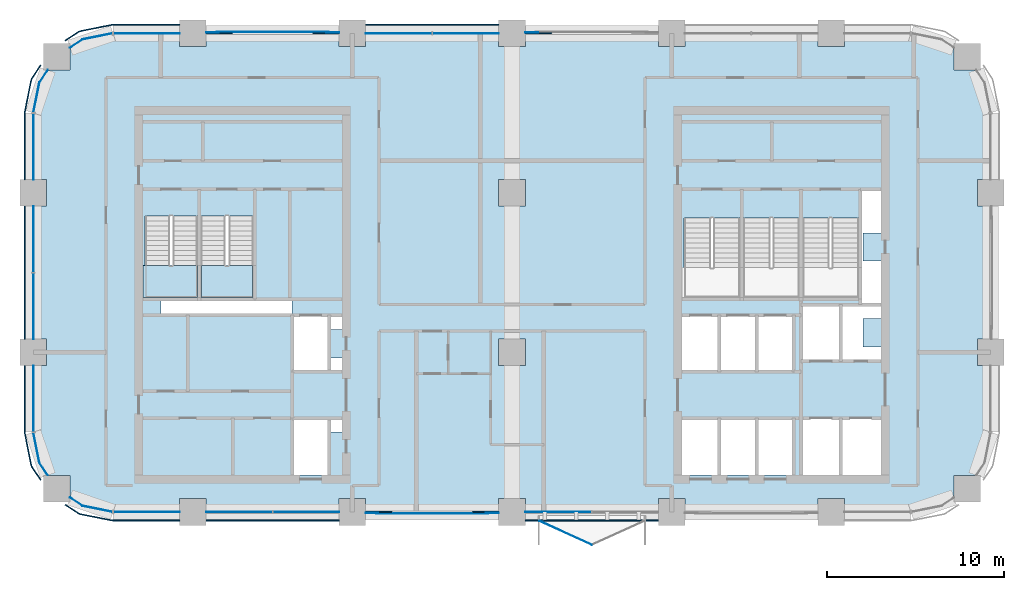
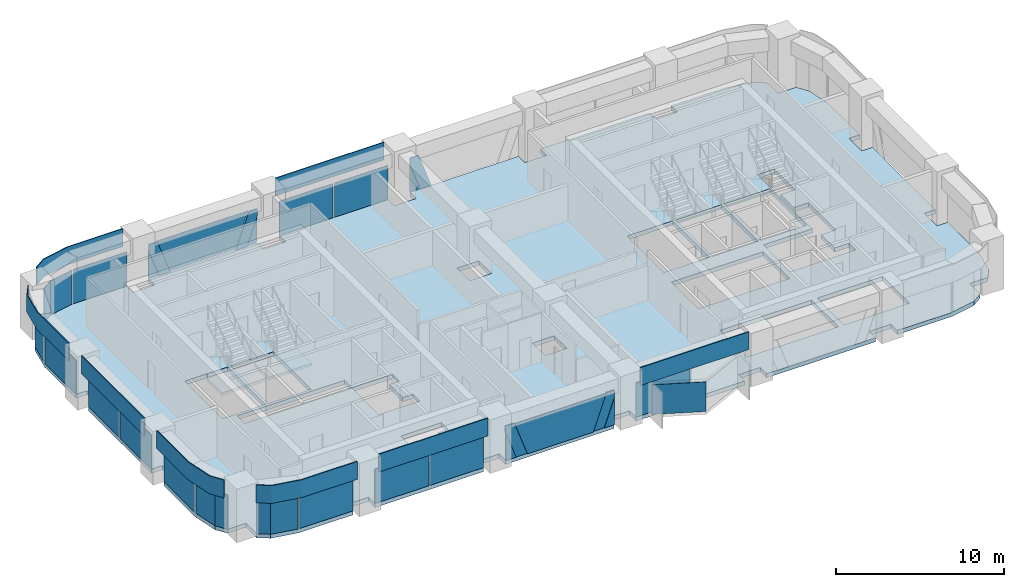
# One storey, part 7 of 14: 36 plates, 3 slabs, 13 elements without a shape of their own.
"""IFC4 building model written with IfcOpenShell, lengths in metres."""

from ifc_helpers import new_model, si_unit, direction, frame, origin, origin_2d, place, context, subcontext, project, spatial, polyline, rectangle, outline, extrude, material, layer, layer_set, type_object, element, aggregate, save


model = new_model("IFC4")

# Units and contexts
model_context = context("Model", 3, precision=1e-05, world=origin(), true_north=direction((0.0, 1.0)))
body_context = subcontext(model_context, "Body", "Model", "MODEL_VIEW")
ifc_project = project(units=[si_unit("LENGTHUNIT", "METRE"), si_unit("AREAUNIT", "SQUARE_METRE"), si_unit("VOLUMEUNIT", "CUBIC_METRE"), si_unit("PLANEANGLEUNIT", "RADIAN"), si_unit("MASSUNIT", "GRAM", prefix="KILO")], contexts=[model_context])

# Site, building, storey
site_placement = place(None, origin())
site = spatial("IfcSite", under=ifc_project, at=site_placement, CompositionType="ELEMENT")
building_placement = place(site_placement, origin())
building = spatial("IfcBuilding", under=site, at=building_placement, Name="Tessera Arch", CompositionType="ELEMENT")
storey_placement = place(building_placement, frame((0.0, 0.0, 146.60009765625)))
storey = spatial("IfcBuildingStorey", under=building, at=storey_placement, Name="L34", CompositionType="ELEMENT", Elevation=146.60009765625)

# Curtain wall, plates
ifc_material_1 = material(Name="CW1 curtain wall")
curtain_wall_type_1 = type_object("IfcCurtainWallType", Name="CW1 curtain wall", PredefinedType="NOTDEFINED", material=ifc_material_1)
curtain_wall_1_placement = place(storey_placement, origin())
curtain_wall_1 = element("IfcCurtainWall", 1, at=curtain_wall_1_placement, inside=storey, type_object=curtain_wall_type_1, Name="CW1 curtain wall N54.0/3 L34", PredefinedType="NOTDEFINED")
ifc_material_2 = material(Name="Clear low-e glass", Category="glass")
ifc_material_3 = material(Name="Clear low-e glass", Category="glass")
ifc_layer_1 = layer(ifc_material_3, 0.028076171875)
ifc_layer_set_1 = layer_set([ifc_layer_1], Name="CW1 glass panel")
plate_type_1 = type_object("IfcPlateType", Name="CW1 glass panel", PredefinedType="CURTAIN_PANEL", material=ifc_layer_set_1)
plate_1_placement = place(storey_placement, frame((24.389892578125, 54.0, 0.0), z_axis=(0.0, 0.0, 1.0), x_axis=(-1.0, 0.0, 0.0)))
plate_1 = element("IfcPlate", 2, at=plate_1_placement, type_object=plate_type_1, material=ifc_material_2, Name="CW1 glass panel N54.0/3 1.1.1", PredefinedType="CURTAIN_PANEL", context=body_context, shape_type="SweptSolid", body=[
    extrude(rectangle(XDim=3.719970703125, YDim=0.028076171875, at=origin_2d()), origin(), (0.0, 0.0, 1.0), 2.5),
])
plate_2_placement = place(storey_placement, frame((20.610107421875, 54.0, 0.0), z_axis=(0.0, 0.0, 1.0), x_axis=(-1.0, 0.0, 0.0)))
plate_2 = element("IfcPlate", 3, at=plate_2_placement, type_object=plate_type_1, material=ifc_material_2, Name="CW1 glass panel N54.0/3 1.2.1", PredefinedType="CURTAIN_PANEL", context=body_context, shape_type="SweptSolid", body=[
    extrude(rectangle(XDim=3.719970703125, YDim=0.028076171875, at=origin_2d()), origin(), (0.0, 0.0, 1.0), 2.5),
])

curtain_wall_2_placement = place(storey_placement, origin())
curtain_wall_2 = element("IfcCurtainWall", 4, at=curtain_wall_2_placement, inside=storey, type_object=curtain_wall_type_1, Name="CW1 curtain wall W0.27/1 L34", PredefinedType="NOTDEFINED")
plate_3_placement = place(storey_placement, frame((0.0, 42.389892578125, 0.0), z_axis=(0.0, 0.0, 1.0), x_axis=(0.0, -1.0, 0.0)))
plate_3 = element("IfcPlate", 5, at=plate_3_placement, type_object=plate_type_1, material=ifc_material_2, Name="CW1 glass panel W0.27/1 1.1.1", PredefinedType="CURTAIN_PANEL", context=body_context, shape_type="SweptSolid", body=[
    extrude(rectangle(XDim=3.719970703125, YDim=0.028076171875, at=origin_2d()), origin(), (0.0, 0.0, 1.0), 2.5),
])
plate_4_placement = place(storey_placement, frame((0.0, 38.610107421875, 0.0), z_axis=(0.0, 0.0, 1.0), x_axis=(0.0, -1.0, 0.0)))
plate_4 = element("IfcPlate", 6, at=plate_4_placement, type_object=plate_type_1, material=ifc_material_2, Name="CW1 glass panel W0.27/1 1.2.1", PredefinedType="CURTAIN_PANEL", context=body_context, shape_type="SweptSolid", body=[
    extrude(rectangle(XDim=3.719970703125, YDim=0.028076171875, at=origin_2d()), origin(), (0.0, 0.0, 1.0), 2.5),
])

curtain_wall_3_placement = place(storey_placement, origin())
curtain_wall_3 = element("IfcCurtainWall", 7, at=curtain_wall_3_placement, inside=storey, type_object=curtain_wall_type_1, Name="CW1 curtain wall S27.0/1 L34", PredefinedType="NOTDEFINED")
plate_5_placement = place(storey_placement, frame((11.610107421875, 27.0, 0.0), z_axis=(0.0, 0.0, 1.0), x_axis=(1.0, 0.0, 0.0)))
plate_5 = element("IfcPlate", 8, at=plate_5_placement, type_object=plate_type_1, material=ifc_material_2, Name="CW1 glass panel S27.0/1 1.1.1", PredefinedType="CURTAIN_PANEL", context=body_context, shape_type="SweptSolid", body=[
    extrude(rectangle(XDim=3.719970703125, YDim=0.028076171875, at=origin_2d()), origin(), (0.0, 0.0, 1.0), 2.5),
])
plate_6_placement = place(storey_placement, frame((15.389892578125, 27.0, 0.0), z_axis=(0.0, 0.0, 1.0), x_axis=(1.0, 0.0, 0.0)))
plate_6 = element("IfcPlate", 9, at=plate_6_placement, type_object=plate_type_1, material=ifc_material_2, Name="CW1 glass panel S27.0/1 1.2.1", PredefinedType="CURTAIN_PANEL", context=body_context, shape_type="SweptSolid", body=[
    extrude(rectangle(XDim=3.719970703125, YDim=0.028076171875, at=origin_2d()), origin(), (0.0, 0.0, 1.0), 2.5),
])

# Curtain wall, plate
curtain_wall_4_placement = place(storey_placement, origin())
curtain_wall_4 = element("IfcCurtainWall", 10, at=curtain_wall_4_placement, inside=storey, type_object=curtain_wall_type_1, Name="CW1 curtain wall S27.0/3 L34", PredefinedType="NOTDEFINED")
plate_7_placement = place(storey_placement, frame((29.610107421875, 27.0, 0.0), z_axis=(0.0, 0.0, 1.0), x_axis=(1.0, 0.0, 0.0)))
plate_7 = element("IfcPlate", 11, at=plate_7_placement, type_object=plate_type_1, material=ifc_material_2, Name="CW1 glass panel S27.0/3 1.1.1", PredefinedType="CURTAIN_PANEL", context=body_context, shape_type="SweptSolid", body=[
    extrude(rectangle(XDim=3.719970703125, YDim=0.028076171875, at=origin_2d()), origin(), (0.0, 0.0, 1.0), 2.5),
])

# Plate
ifc_material_4 = material(Name="Pale anodised aluminium panel", Category="aluminium")
ifc_layer_2 = layer(ifc_material_4, 0.06005859375)
ifc_layer_set_2 = layer_set([ifc_layer_2], Name="CW1 spandrel panel")
plate_type_2 = type_object("IfcPlateType", Name="CW1 spandrel panel", PredefinedType="CURTAIN_PANEL", material=ifc_layer_set_2)
plate_8_placement = place(storey_placement, frame((22.5, 54.47998046875, 2.60009765625), z_axis=(0.0, 0.0, 1.0), x_axis=(-1.0, 0.0, 0.0)))
plate_8 = element("IfcPlate", 12, at=plate_8_placement, type_object=plate_type_2, Name="CW1 spandrel panel N54.0/3", PredefinedType="CURTAIN_PANEL", context=body_context, shape_type="SweptSolid", body=[
    extrude(rectangle(XDim=7.5, YDim=0.06005859375, at=origin_2d()), origin(), (0.0, 0.0, 1.0), 1.300048828125),
])

aggregate(curtain_wall_1, [plate_1, plate_2, plate_8])

plate_9_placement = place(storey_placement, frame((-0.47998046875, 40.5, 2.60009765625), z_axis=(0.0, 0.0, 1.0), x_axis=(0.0, -1.0, 0.0)))
plate_9 = element("IfcPlate", 13, at=plate_9_placement, type_object=plate_type_2, Name="CW1 spandrel panel W0.27/1", PredefinedType="CURTAIN_PANEL", context=body_context, shape_type="SweptSolid", body=[
    extrude(rectangle(XDim=7.5, YDim=0.06005859375, at=origin_2d()), origin(), (0.0, 0.0, 1.0), 1.300048828125),
])

aggregate(curtain_wall_2, [plate_3, plate_4, plate_9])

plate_10_placement = place(storey_placement, frame((13.5, 26.52001953125, 2.60009765625), z_axis=(0.0, 0.0, 1.0), x_axis=(1.0, 0.0, 0.0)))
plate_10 = element("IfcPlate", 14, at=plate_10_placement, type_object=plate_type_2, Name="CW1 spandrel panel S27.0/1", PredefinedType="CURTAIN_PANEL", context=body_context, shape_type="SweptSolid", body=[
    extrude(rectangle(XDim=7.5, YDim=0.06005859375, at=origin_2d()), origin(), (0.0, 0.0, 1.0), 1.300048828125),
])

aggregate(curtain_wall_3, [plate_5, plate_6, plate_10])

plate_11_placement = place(storey_placement, frame((31.5, 26.52001953125, 2.60009765625), z_axis=(0.0, 0.0, 1.0), x_axis=(1.0, 0.0, 0.0)))
plate_11 = element("IfcPlate", 15, at=plate_11_placement, type_object=plate_type_2, Name="CW1 spandrel panel S27.0/3", PredefinedType="CURTAIN_PANEL", context=body_context, shape_type="SweptSolid", body=[
    extrude(rectangle(XDim=7.5, YDim=0.06005859375, at=origin_2d()), origin(), (0.0, 0.0, 1.0), 1.300048828125),
])

aggregate(curtain_wall_4, [plate_7, plate_11])

# Curtain wall, plates
ifc_material_5 = material(Name="CW2 curtain wall")
curtain_wall_type_2 = type_object("IfcCurtainWallType", Name="CW2 curtain wall", PredefinedType="NOTDEFINED", material=ifc_material_5)
curtain_wall_5_placement = place(storey_placement, origin())
curtain_wall_5 = element("IfcCurtainWall", 16, at=curtain_wall_5_placement, inside=storey, type_object=curtain_wall_type_2, Name="CW2 curtain wall N54.0/5 L34", PredefinedType="NOTDEFINED")
ifc_material_6 = material(Name="Clear low-e glass", Category="glass")
ifc_layer_3 = layer(ifc_material_6, 0.028076171875)
ifc_layer_set_3 = layer_set([ifc_layer_3], Name="CW2 glass panel")
plate_type_3 = type_object("IfcPlateType", Name="CW2 glass panel", PredefinedType="CURTAIN_PANEL", material=ifc_layer_set_3)
plate_12_placement = place(storey_placement, frame((6.39501953125, 54.0, 0.0), z_axis=(0.0, 0.0, 1.0), x_axis=(-1.0, 0.0, 0.0)))
plate_12 = element("IfcPlate", 17, at=plate_12_placement, type_object=plate_type_3, material=ifc_material_2, Name="CW2 glass panel N54.0/5 1.1", PredefinedType="CURTAIN_PANEL", context=body_context, shape_type="SweptSolid", body=[
    extrude(rectangle(XDim=3.7099609375, YDim=0.028076171875, at=origin_2d()), origin(), (0.0, 0.0, 1.0), 2.5),
])
plate_13_placement = place(storey_placement, origin())
plate_13 = element("IfcPlate", 18, at=plate_13_placement, type_object=plate_type_3, material=ifc_material_2, Name="CW2 curved glass panel N54.0/5 2.1", PredefinedType="CURTAIN_PANEL", context=body_context, shape_type="SweptSolid", body=[
    extrude(outline(polyline([(2.783447265625, 53.644287109375), (4.46337890625, 53.978515625), (4.4580078125, 54.005859375), (2.7724609375, 53.670654296875), (2.060302734375, 53.19482421875), (2.07568359375, 53.17138671875), (2.783447265625, 53.644287109375)])), origin(), (0.0, 0.0, 1.0), 2.5),
])

curtain_wall_6_placement = place(storey_placement, origin())
curtain_wall_6 = element("IfcCurtainWall", 19, at=curtain_wall_6_placement, inside=storey, type_object=curtain_wall_type_2, Name="CW2 curtain wall W0.27/0 L34", PredefinedType="NOTDEFINED")
plate_14_placement = place(storey_placement, frame((0.0, 47.60498046875, 0.0), z_axis=(0.0, 0.0, 1.0), x_axis=(0.0, -1.0, 0.0)))
plate_14 = element("IfcPlate", 20, at=plate_14_placement, type_object=plate_type_3, material=ifc_material_2, Name="CW2 glass panel W0.27/0 1.1", PredefinedType="CURTAIN_PANEL", context=body_context, shape_type="SweptSolid", body=[
    extrude(rectangle(XDim=3.7099609375, YDim=0.028076171875, at=origin_2d()), origin(), (0.0, 0.0, 1.0), 2.5),
])
plate_15_placement = place(storey_placement, origin())
plate_15 = element("IfcPlate", 21, at=plate_15_placement, type_object=plate_type_3, material=ifc_material_2, Name="CW2 curved glass panel W0.27/0 2.1", PredefinedType="CURTAIN_PANEL", context=body_context, shape_type="SweptSolid", body=[
    extrude(outline(polyline([(0.355712890625, 51.216552734375), (0.82861328125, 51.92431640625), (0.80517578125, 51.939697265625), (0.329345703125, 51.2275390625), (-0.005859375, 49.5419921875), (0.021484375, 49.53662109375), (0.355712890625, 51.216552734375)])), origin(), (0.0, 0.0, 1.0), 2.5),
])

curtain_wall_7_placement = place(storey_placement, origin())
curtain_wall_7 = element("IfcCurtainWall", 22, at=curtain_wall_7_placement, inside=storey, type_object=curtain_wall_type_2, Name="CW2 curtain wall W0.27/2 L34", PredefinedType="NOTDEFINED")
plate_16_placement = place(storey_placement, frame((0.0, 33.39501953125, 0.0), z_axis=(0.0, 0.0, 1.0), x_axis=(0.0, -1.0, 0.0)))
plate_16 = element("IfcPlate", 23, at=plate_16_placement, type_object=plate_type_3, material=ifc_material_2, Name="CW2 glass panel W0.27/2 1.1", PredefinedType="CURTAIN_PANEL", context=body_context, shape_type="SweptSolid", body=[
    extrude(rectangle(XDim=3.7099609375, YDim=0.028076171875, at=origin_2d()), origin(), (0.0, 0.0, 1.0), 2.5),
])
plate_17_placement = place(storey_placement, origin())
plate_17 = element("IfcPlate", 24, at=plate_17_placement, type_object=plate_type_3, material=ifc_material_2, Name="CW2 curved glass panel W0.27/2 2.1", PredefinedType="CURTAIN_PANEL", context=body_context, shape_type="SweptSolid", body=[
    extrude(outline(polyline([(0.355712890625, 29.783447265625), (0.021484375, 31.46337890625), (-0.005859375, 31.4580078125), (0.329345703125, 29.7724609375), (0.80517578125, 29.060302734375), (0.82861328125, 29.07568359375), (0.355712890625, 29.783447265625)])), origin(), (0.0, 0.0, 1.0), 2.5),
])

curtain_wall_8_placement = place(storey_placement, origin())
curtain_wall_8 = element("IfcCurtainWall", 25, at=curtain_wall_8_placement, inside=storey, type_object=curtain_wall_type_2, Name="CW2 curtain wall S27.0/0 L34", PredefinedType="NOTDEFINED")
plate_18_placement = place(storey_placement, frame((6.39501953125, 27.0, 0.0), z_axis=(0.0, 0.0, 1.0), x_axis=(1.0, 0.0, 0.0)))
plate_18 = element("IfcPlate", 26, at=plate_18_placement, type_object=plate_type_3, material=ifc_material_2, Name="CW2 glass panel S27.0/0 1.1", PredefinedType="CURTAIN_PANEL", context=body_context, shape_type="SweptSolid", body=[
    extrude(rectangle(XDim=3.7099609375, YDim=0.028076171875, at=origin_2d()), origin(), (0.0, 0.0, 1.0), 2.5),
])
plate_19_placement = place(storey_placement, origin())
plate_19 = element("IfcPlate", 27, at=plate_19_placement, type_object=plate_type_3, material=ifc_material_2, Name="CW2 curved glass panel S27.0/0 2.1", PredefinedType="CURTAIN_PANEL", context=body_context, shape_type="SweptSolid", body=[
    extrude(outline(polyline([(2.783447265625, 27.355712890625), (2.07568359375, 27.82861328125), (2.060302734375, 27.80517578125), (2.7724609375, 27.329345703125), (4.4580078125, 26.994140625), (4.46337890625, 27.021484375), (2.783447265625, 27.355712890625)])), origin(), (0.0, 0.0, 1.0), 2.5),
])

# Plate
ifc_material_7 = material(Name="Pale anodised aluminium panel", Category="aluminium")
ifc_layer_4 = layer(ifc_material_7, 0.06005859375)
ifc_layer_set_4 = layer_set([ifc_layer_4], Name="CW2 spandrel panel")
plate_type_4 = type_object("IfcPlateType", Name="CW2 spandrel panel", PredefinedType="CURTAIN_PANEL", material=ifc_layer_set_4)
plate_20_placement = place(storey_placement, frame((0.0, 0.0, 2.599853515625)))
plate_20 = element("IfcPlate", 28, at=plate_20_placement, type_object=plate_type_4, Name="CW2 spandrel panel N54.0/5", PredefinedType="CURTAIN_PANEL", context=body_context, shape_type="SweptSolid", body=[
    extrude(outline(polyline([(4.500732421875, 54.449951171875), (8.25, 54.449951171875), (8.25, 54.510009765625), (4.499267578125, 54.510009765625), (4.449951171875, 54.507568359375), (4.401123046875, 54.500244140625), (2.677734375, 54.157470703125), (2.6298828125, 54.1455078125), (2.582763671875, 54.128662109375), (2.537353515625, 54.107421875), (2.4951171875, 54.08203125), (1.78466796875, 53.607177734375), (1.81787109375, 53.55712890625), (2.52734375, 54.03125), (2.565673828125, 54.054443359375), (2.605712890625, 54.0732421875), (2.647216796875, 54.088134765625), (2.69091796875, 54.09912109375), (4.411376953125, 54.441162109375), (4.455810546875, 54.44775390625), (4.500732421875, 54.449951171875)])), origin(), (0.0, 0.0, 1.0), 1.300048828125),
])

aggregate(curtain_wall_5, [plate_12, plate_13, plate_20])

plate_21_placement = place(storey_placement, frame((0.0, 0.0, 2.599853515625)))
plate_21 = element("IfcPlate", 29, at=plate_21_placement, type_object=plate_type_4, Name="CW2 spandrel panel W0.27/0", PredefinedType="CURTAIN_PANEL", context=body_context, shape_type="SweptSolid", body=[
    extrude(outline(polyline([(-0.03125, 51.47265625), (0.44287109375, 52.18212890625), (0.392822265625, 52.21533203125), (-0.08203125, 51.5048828125), (-0.107421875, 51.462646484375), (-0.128662109375, 51.417236328125), (-0.1455078125, 51.3701171875), (-0.157470703125, 51.322265625), (-0.500244140625, 49.598876953125), (-0.507568359375, 49.550048828125), (-0.510009765625, 49.500732421875), (-0.510009765625, 45.75), (-0.449951171875, 45.75), (-0.449951171875, 49.499267578125), (-0.44775390625, 49.544189453125), (-0.441162109375, 49.588623046875), (-0.09912109375, 51.30908203125), (-0.088134765625, 51.352783203125), (-0.0732421875, 51.394287109375), (-0.054443359375, 51.434326171875), (-0.03125, 51.47265625)])), origin(), (0.0, 0.0, 1.0), 1.300048828125),
])

aggregate(curtain_wall_6, [plate_14, plate_15, plate_21])

plate_22_placement = place(storey_placement, frame((0.0, 0.0, 2.599853515625)))
plate_22 = element("IfcPlate", 30, at=plate_22_placement, type_object=plate_type_4, Name="CW2 spandrel panel W0.27/2", PredefinedType="CURTAIN_PANEL", context=body_context, shape_type="SweptSolid", body=[
    extrude(outline(polyline([(-0.449951171875, 31.500732421875), (-0.449951171875, 35.25), (-0.510009765625, 35.25), (-0.510009765625, 31.499267578125), (-0.507568359375, 31.449951171875), (-0.500244140625, 31.401123046875), (-0.157470703125, 29.677734375), (-0.1455078125, 29.6298828125), (-0.128662109375, 29.582763671875), (-0.107421875, 29.537353515625), (-0.08203125, 29.4951171875), (0.392822265625, 28.78466796875), (0.44287109375, 28.81787109375), (-0.03125, 29.52734375), (-0.054443359375, 29.565673828125), (-0.0732421875, 29.605712890625), (-0.088134765625, 29.647216796875), (-0.09912109375, 29.69091796875), (-0.441162109375, 31.411376953125), (-0.44775390625, 31.455810546875), (-0.449951171875, 31.500732421875)])), origin(), (0.0, 0.0, 1.0), 1.300048828125),
])

aggregate(curtain_wall_7, [plate_16, plate_17, plate_22])

plate_23_placement = place(storey_placement, frame((0.0, 0.0, 2.599853515625)))
plate_23 = element("IfcPlate", 31, at=plate_23_placement, type_object=plate_type_4, Name="CW2 spandrel panel S27.0/0", PredefinedType="CURTAIN_PANEL", context=body_context, shape_type="SweptSolid", body=[
    extrude(outline(polyline([(2.52734375, 26.96875), (1.81787109375, 27.44287109375), (1.78466796875, 27.392822265625), (2.4951171875, 26.91796875), (2.537353515625, 26.892578125), (2.582763671875, 26.871337890625), (2.6298828125, 26.8544921875), (2.677734375, 26.842529296875), (4.401123046875, 26.499755859375), (4.449951171875, 26.492431640625), (4.499267578125, 26.489990234375), (8.25, 26.489990234375), (8.25, 26.550048828125), (4.500732421875, 26.550048828125), (4.455810546875, 26.55224609375), (4.411376953125, 26.558837890625), (2.69091796875, 26.90087890625), (2.647216796875, 26.911865234375), (2.605712890625, 26.9267578125), (2.565673828125, 26.945556640625), (2.52734375, 26.96875)])), origin(), (0.0, 0.0, 1.0), 1.300048828125),
])

aggregate(curtain_wall_8, [plate_18, plate_19, plate_23])

# Curtain wall, plate
ifc_material_8 = material(Name="CW3 curtain wall")
curtain_wall_type_3 = type_object("IfcCurtainWallType", Name="CW3 curtain wall", PredefinedType="NOTDEFINED", material=ifc_material_8)
curtain_wall_9_placement = place(storey_placement, origin())
curtain_wall_9 = element("IfcCurtainWall", 32, at=curtain_wall_9_placement, inside=storey, type_object=curtain_wall_type_3, Name="CW3 curtain wall N54.0/2 L34", PredefinedType="NOTDEFINED")
ifc_material_9 = material(Name="Pale anodised aluminium panel", Category="aluminium")
ifc_layer_5 = layer(ifc_material_9, 0.06005859375)
ifc_layer_set_5 = layer_set([ifc_layer_5], Name="CW3 diagonal panel")
plate_type_5 = type_object("IfcPlateType", Name="CW3 diagonal panel", PredefinedType="CURTAIN_PANEL", material=ifc_layer_set_5)
plate_24_placement = place(storey_placement, frame((27.75, 54.030029296875, 2.5), z_axis=(0.0, 1.0, 0.0), x_axis=(1.0, 0.0, 0.0)))
plate_24 = element("IfcPlate", 33, at=plate_24_placement, type_object=plate_type_5, Name="CW3 diagonal panel N54.0/2 1", PredefinedType="CURTAIN_PANEL", context=body_context, shape_type="SweptSolid", body=[
    extrude(outline(polyline([(0.0, 0.0), (0.595947265625, 0.0), (1.484619140625, 2.5), (0.718994140625, 2.5), (0.0, 0.47705078125), (0.0, 0.0)])), origin(), (0.0, 0.0, -1.0), 0.06005859375),
])

# Curtain wall, plates
curtain_wall_10_placement = place(storey_placement, origin())
curtain_wall_10 = element("IfcCurtainWall", 34, at=curtain_wall_10_placement, inside=storey, type_object=curtain_wall_type_3, Name="CW3 curtain wall N54.0/4 L34", PredefinedType="NOTDEFINED")
plate_25_placement = place(storey_placement, frame((9.75, 54.030029296875, 2.5), z_axis=(0.0, 1.0, 0.0), x_axis=(1.0, 0.0, 0.0)))
plate_25 = element("IfcPlate", 35, at=plate_25_placement, type_object=plate_type_5, Name="CW3 diagonal panel N54.0/4 1", PredefinedType="CURTAIN_PANEL", context=body_context, shape_type="SweptSolid", body=[
    extrude(outline(polyline([(0.0, 0.0), (0.595947265625, 0.0), (1.484619140625, 2.5), (0.718994140625, 2.5), (0.0, 0.47705078125), (0.0, 0.0)])), origin(), (0.0, 0.0, -1.0), 0.06005859375),
])
plate_26_placement = place(storey_placement, frame((17.25, 54.030029296875, 2.5), z_axis=(0.0, 1.0, 0.0), x_axis=(0.0, 0.0, -1.0)))
plate_26 = element("IfcPlate", 36, at=plate_26_placement, type_object=plate_type_5, Name="CW3 diagonal panel N54.0/4 2", PredefinedType="CURTAIN_PANEL", context=body_context, shape_type="SweptSolid", body=[
    extrude(outline(polyline([(0.0, 0.0), (0.47705078125, 0.0), (2.5, 0.718994140625), (2.5, 1.484619140625), (0.0, 0.595947265625), (0.0, 0.0)])), origin(), (0.0, 0.0, -1.0), 0.06005859375),
])

curtain_wall_11_placement = place(storey_placement, origin())
curtain_wall_11 = element("IfcCurtainWall", 37, at=curtain_wall_11_placement, inside=storey, type_object=curtain_wall_type_3, Name="CW3 curtain wall S27.0/2 L34", PredefinedType="NOTDEFINED")
plate_27_placement = place(storey_placement, frame((26.25, 26.969970703125, 2.5), z_axis=(0.0, -1.0, 0.0), x_axis=(-1.0, 0.0, 0.0)))
plate_27 = element("IfcPlate", 38, at=plate_27_placement, type_object=plate_type_5, Name="CW3 diagonal panel S27.0/2 1", PredefinedType="CURTAIN_PANEL", context=body_context, shape_type="SweptSolid", body=[
    extrude(outline(polyline([(0.0, 0.0), (0.595947265625, 0.0), (1.484619140625, 2.5), (0.718994140625, 2.5), (0.0, 0.47705078125), (0.0, 0.0)])), origin(), (0.0, 0.0, -1.0), 0.06005859375),
])
plate_28_placement = place(storey_placement, frame((18.75, 26.969970703125, 2.5), z_axis=(0.0, -1.0, 0.0), x_axis=(0.0, 0.0, -1.0)))
plate_28 = element("IfcPlate", 39, at=plate_28_placement, type_object=plate_type_5, Name="CW3 diagonal panel S27.0/2 2", PredefinedType="CURTAIN_PANEL", context=body_context, shape_type="SweptSolid", body=[
    extrude(outline(polyline([(0.0, 0.0), (0.47705078125, 0.0), (2.5, 0.718994140625), (2.5, 1.484619140625), (0.0, 0.595947265625), (0.0, 0.0)])), origin(), (0.0, 0.0, -1.0), 0.06005859375),
])

# Plate
ifc_material_10 = material(Name="Clear low-e glass", Category="glass")
ifc_layer_6 = layer(ifc_material_10, 0.028076171875)
ifc_layer_set_6 = layer_set([ifc_layer_6], Name="CW3 glass panel")
plate_type_6 = type_object("IfcPlateType", Name="CW3 glass panel", PredefinedType="CURTAIN_PANEL", material=ifc_layer_set_6)
plate_29_placement = place(storey_placement, frame((27.75, 54.05810546875, 0.0), z_axis=(0.0, 1.0, 0.0), x_axis=(0.0, 0.0, 1.0)))
plate_29 = element("IfcPlate", 40, at=plate_29_placement, type_object=plate_type_6, material=ifc_material_2, Name="CW3 triangulated glass panel N54.0/2 3", PredefinedType="CURTAIN_PANEL", context=body_context, shape_type="SweptSolid", body=[
    extrude(outline(polyline([(0.0, 0.0), (2.02294921875, 0.0), (0.0, 0.718994140625), (0.0, 0.0)])), origin(), (0.0, 0.0, -1.0), 0.028076171875),
])

aggregate(curtain_wall_9, [plate_29, plate_24])

plate_30_placement = place(storey_placement, frame((17.25, 54.05810546875, 0.0), z_axis=(0.0, 1.0, 0.0), x_axis=(-1.0, 0.0, 0.0)))
plate_30 = element("IfcPlate", 41, at=plate_30_placement, type_object=plate_type_6, material=ifc_material_2, Name="CW3 triangulated glass panel N54.0/4 1", PredefinedType="CURTAIN_PANEL", context=body_context, shape_type="SweptSolid", body=[
    extrude(outline(polyline([(0.0, 0.0), (0.718994140625, 0.0), (0.0, 2.02294921875), (0.0, 0.0)])), origin(), (0.0, 0.0, -1.0), 0.028076171875),
])

plate_31_placement = place(storey_placement, frame((10.345947265625, 54.0859375, 2.5), z_axis=(0.0, 1.0, 0.0), x_axis=(1.0, 0.0, 0.0)))
plate_31 = element("IfcPlate", 42, at=plate_31_placement, type_object=plate_type_6, material=ifc_material_2, Name="CW3 triangulated glass panel N54.0/4 2", PredefinedType="CURTAIN_PANEL", context=body_context, shape_type="SweptSolid", body=[
    extrude(outline(polyline([(0.0, 0.0), (6.30810546875, 0.0), (5.41943359375, 2.5), (0.888671875, 2.5), (0.0, 0.0)])), origin(), (0.0, 0.0, -1.0), 0.028076171875),
])

plate_32_placement = place(storey_placement, frame((9.75, 54.05810546875, 0.0), z_axis=(0.0, 1.0, 0.0), x_axis=(0.0, 0.0, 1.0)))
plate_32 = element("IfcPlate", 43, at=plate_32_placement, type_object=plate_type_6, material=ifc_material_2, Name="CW3 triangulated glass panel N54.0/4 3", PredefinedType="CURTAIN_PANEL", context=body_context, shape_type="SweptSolid", body=[
    extrude(outline(polyline([(0.0, 0.0), (2.02294921875, 0.0), (0.0, 0.718994140625), (0.0, 0.0)])), origin(), (0.0, 0.0, -1.0), 0.028076171875),
])

aggregate(curtain_wall_10, [plate_30, plate_31, plate_32, plate_25, plate_26])

plate_33_placement = place(storey_placement, frame((18.75, 26.94189453125, 0.0), z_axis=(0.0, -1.0, 0.0), x_axis=(1.0, 0.0, 0.0)))
plate_33 = element("IfcPlate", 44, at=plate_33_placement, type_object=plate_type_6, material=ifc_material_2, Name="CW3 triangulated glass panel S27.0/2 1", PredefinedType="CURTAIN_PANEL", context=body_context, shape_type="SweptSolid", body=[
    extrude(outline(polyline([(0.0, 0.0), (0.718994140625, 0.0), (0.0, 2.02294921875), (0.0, 0.0)])), origin(), (0.0, 0.0, -1.0), 0.028076171875),
])

plate_34_placement = place(storey_placement, frame((25.654052734375, 26.9140625, 2.5), z_axis=(0.0, -1.0, 0.0), x_axis=(-1.0, 0.0, 0.0)))
plate_34 = element("IfcPlate", 45, at=plate_34_placement, type_object=plate_type_6, material=ifc_material_2, Name="CW3 triangulated glass panel S27.0/2 2", PredefinedType="CURTAIN_PANEL", context=body_context, shape_type="SweptSolid", body=[
    extrude(outline(polyline([(0.0, 0.0), (6.30810546875, 0.0), (5.41943359375, 2.5), (0.888671875, 2.5), (0.0, 0.0)])), origin(), (0.0, 0.0, -1.0), 0.028076171875),
])

plate_35_placement = place(storey_placement, frame((26.25, 26.94189453125, 0.0), z_axis=(0.0, -1.0, 0.0), x_axis=(0.0, 0.0, 1.0)))
plate_35 = element("IfcPlate", 46, at=plate_35_placement, type_object=plate_type_6, material=ifc_material_2, Name="CW3 triangulated glass panel S27.0/2 3", PredefinedType="CURTAIN_PANEL", context=body_context, shape_type="SweptSolid", body=[
    extrude(outline(polyline([(0.0, 0.0), (2.02294921875, 0.0), (0.0, 0.718994140625), (0.0, 0.0)])), origin(), (0.0, 0.0, -1.0), 0.028076171875),
])

aggregate(curtain_wall_11, [plate_33, plate_34, plate_35, plate_27, plate_28])

# Slab
ifc_material_11 = material(Name="Concrete C40/50", Category="concrete")
ifc_layer_7 = layer(ifc_material_11, 0.300048828125)
ifc_layer_set_7 = layer_set([ifc_layer_7], Name="Floor slab 300 Concrete C40/50")
slab_type_1 = type_object("IfcSlabType", Name="Floor slab 300 Concrete C40/50", PredefinedType="FLOOR", material=ifc_layer_set_7)
slab_1_placement = place(storey_placement, frame((0.0, 0.0, -0.300048828125)))
element("IfcSlab", 47, at=slab_1_placement, inside=storey, type_object=slab_type_1, Name="Floor slab L34 1", PredefinedType="FLOOR", context=body_context, shape_type="SweptSolid", body=[
    extrude(outline(polyline([(54.0, 31.5), (53.657470703125, 29.77783203125), (53.18310546875, 29.068115234375), (51.931884765625, 29.068115234375), (51.931884765625, 27.81689453125), (51.22216796875, 27.342529296875), (49.5, 27.0), (45.75, 27.0), (45.75, 27.75), (44.25, 27.75), (44.25, 27.0), (36.75, 27.0), (36.75, 27.75), (35.25, 27.75), (35.25, 27.0), (27.75, 27.0), (27.75, 27.75), (26.25, 27.75), (26.25, 27.0), (18.75, 27.0), (18.75, 27.75), (17.25, 27.75), (17.25, 27.0), (9.75, 27.0), (9.75, 27.75), (8.25, 27.75), (8.25, 27.0), (4.5, 27.0), (2.77783203125, 27.342529296875), (2.068115234375, 27.81689453125), (2.068115234375, 29.068115234375), (0.81689453125, 29.068115234375), (0.342529296875, 29.77783203125), (0.0, 31.5), (0.0, 35.25), (0.75, 35.25), (0.75, 36.75), (0.0, 36.75), (0.0, 44.25), (0.75, 44.25), (0.75, 45.75), (0.0, 45.75), (0.0, 49.5), (0.342529296875, 51.22216796875), (0.81689453125, 51.931884765625), (2.068115234375, 51.931884765625), (2.068115234375, 53.18310546875), (2.77783203125, 53.657470703125), (4.5, 54.0), (8.25, 54.0), (8.25, 53.25), (9.75, 53.25), (9.75, 54.0), (17.25, 54.0), (17.25, 53.25), (18.75, 53.25), (18.75, 54.0), (26.25, 54.0), (26.25, 53.25), (27.75, 53.25), (27.75, 54.0), (35.25, 54.0), (35.25, 53.25), (36.75, 53.25), (36.75, 54.0), (44.25, 54.0), (44.25, 53.25), (45.75, 53.25), (45.75, 54.0), (49.5, 54.0), (51.22216796875, 53.657470703125), (51.931884765625, 53.18310546875), (51.931884765625, 51.931884765625), (53.18310546875, 51.931884765625), (53.657470703125, 51.22216796875), (54.0, 49.5), (54.0, 45.75), (53.25, 45.75), (53.25, 44.25), (54.0, 44.25), (54.0, 36.75), (53.25, 36.75), (53.25, 35.25), (54.0, 35.25), (54.0, 31.5)]), holes=[polyline([(14.60009765625, 29.10009765625), (16.699951171875, 29.10009765625), (16.699951171875, 31.5), (17.39990234375, 31.5), (17.39990234375, 32.300048828125), (16.699951171875, 32.300048828125), (14.60009765625, 32.300048828125), (14.60009765625, 29.10009765625)]), polyline([(26.25, 36.75), (26.25, 35.25), (27.75, 35.25), (27.75, 36.75), (26.25, 36.75)]), polyline([(17.39990234375, 37.300048828125), (17.39990234375, 38.10009765625), (16.699951171875, 38.10009765625), (14.60498046875, 38.10009765625), (14.60498046875, 38.10498046875), (14.60009765625, 38.10498046875), (14.60009765625, 39.0), (7.199951171875, 39.0), (7.199951171875, 38.10009765625), (14.594970703125, 38.10009765625), (14.594970703125, 38.094970703125), (14.60009765625, 38.094970703125), (14.60009765625, 34.89990234375), (16.699951171875, 34.89990234375), (17.39990234375, 34.89990234375), (17.39990234375, 35.699951171875), (16.699951171875, 35.699951171875), (16.699951171875, 37.300048828125), (17.39990234375, 37.300048828125)]), polyline([(6.300048828125, 43.68994140625), (6.300048828125, 39.199951171875), (9.25, 39.199951171875), (9.25, 43.68994140625), (7.85009765625, 43.68994140625), (7.85009765625, 43.699951171875), (7.699951171875, 43.699951171875), (7.699951171875, 43.68994140625), (6.300048828125, 43.68994140625)]), polyline([(9.449951171875, 39.199951171875), (12.39990234375, 39.199951171875), (12.39990234375, 43.68994140625), (11.0, 43.68994140625), (11.0, 43.699951171875), (10.85009765625, 43.699951171875), (10.85009765625, 43.68994140625), (9.449951171875, 43.68994140625), (9.449951171875, 39.199951171875)]), polyline([(38.699951171875, 29.10009765625), (40.800048828125, 29.10009765625), (42.89990234375, 29.10009765625), (42.89990234375, 32.300048828125), (40.800048828125, 32.300048828125), (38.699951171875, 32.300048828125), (36.60009765625, 32.300048828125), (36.60009765625, 29.10009765625), (38.699951171875, 29.10009765625)]), polyline([(45.550048828125, 32.300048828125), (43.300048828125, 32.300048828125), (43.300048828125, 29.10009765625), (45.550048828125, 29.10009765625), (47.800048828125, 29.10009765625), (47.800048828125, 32.300048828125), (45.550048828125, 32.300048828125)]), polyline([(40.800048828125, 34.89990234375), (42.89990234375, 34.89990234375), (42.89990234375, 38.10009765625), (40.800048828125, 38.10009765625), (38.699951171875, 38.10009765625), (36.60009765625, 38.10009765625), (36.60009765625, 34.89990234375), (38.699951171875, 34.89990234375), (40.800048828125, 34.89990234375)]), polyline([(47.800048828125, 42.75), (47.800048828125, 45.199951171875), (46.64990234375, 45.199951171875), (46.64990234375, 38.699951171875), (45.550048828125, 38.699951171875), (43.300048828125, 38.699951171875), (43.300048828125, 35.5), (45.550048828125, 35.5), (47.800048828125, 35.5), (47.800048828125, 36.300048828125), (46.800048828125, 36.300048828125), (46.800048828125, 37.89990234375), (47.800048828125, 37.89990234375), (47.800048828125, 38.699951171875), (47.800048828125, 41.14990234375), (46.800048828125, 41.14990234375), (46.800048828125, 42.75), (47.800048828125, 42.75)]), polyline([(36.699951171875, 39.199951171875), (39.85009765625, 39.199951171875), (39.85009765625, 43.570068359375), (38.330078125, 43.570068359375), (38.330078125, 43.580078125), (38.219970703125, 43.580078125), (38.219970703125, 43.570068359375), (36.699951171875, 43.570068359375), (36.699951171875, 39.199951171875)]), polyline([(40.050048828125, 39.199951171875), (43.199951171875, 39.199951171875), (43.199951171875, 43.570068359375), (41.679931640625, 43.570068359375), (41.679931640625, 43.580078125), (41.570068359375, 43.580078125), (41.570068359375, 43.570068359375), (40.050048828125, 43.570068359375), (40.050048828125, 39.199951171875)]), polyline([(43.39990234375, 43.570068359375), (43.39990234375, 39.199951171875), (46.550048828125, 39.199951171875), (46.550048828125, 43.570068359375), (45.030029296875, 43.570068359375), (45.030029296875, 43.580078125), (44.919921875, 43.580078125), (44.919921875, 43.570068359375), (43.39990234375, 43.570068359375)]), polyline([(26.25, 45.75), (26.25, 44.25), (27.75, 44.25), (27.75, 45.75), (26.25, 45.75)])]), origin(), (0.0, 0.0, 1.0), 0.300048828125),
])

# Stair, slab
ifc_material_12 = material(Name="Concrete C40/50", Category="concrete")
stair_type = type_object("IfcStairType", Name="Dogleg stair 1400", PredefinedType="HALF_TURN_STAIR", material=ifc_material_12)
stair_1_placement = place(storey_placement, origin())
stair_1 = element("IfcStair", 48, at=stair_1_placement, inside=storey, type_object=stair_type, Name="L34 S2a", PredefinedType="HALF_TURN_STAIR")
ifc_material_13 = material(Name="Concrete C40/50", Category="concrete")
ifc_layer_8 = layer(ifc_material_13, 0.300048828125)
ifc_layer_set_8 = layer_set([ifc_layer_8], Name="Stair landing 300")
slab_type_2 = type_object("IfcSlabType", Name="Stair landing 300", PredefinedType="LANDING", material=ifc_layer_set_8)
slab_2_placement = place(storey_placement, frame((0.0, 0.0, 1.75)))
slab_2 = element("IfcSlab", 49, at=slab_2_placement, type_object=slab_type_2, Name="S2a landing 1", PredefinedType="LANDING", context=body_context, shape_type="SweptSolid", body=[
    extrude(outline(polyline([(6.199951171875, 40.89990234375), (6.199951171875, 39.10009765625), (9.25, 39.10009765625), (9.25, 40.89990234375), (6.199951171875, 40.89990234375)])), origin(), (0.0, 0.0, 1.0), 0.199951171875),
])
aggregate(stair_1, [slab_2])

stair_2_placement = place(storey_placement, origin())
stair_2 = element("IfcStair", 50, at=stair_2_placement, inside=storey, type_object=stair_type, Name="L34 S2b", PredefinedType="HALF_TURN_STAIR")
slab_3_placement = place(storey_placement, frame((0.0, 0.0, 1.75)))
slab_3 = element("IfcSlab", 51, at=slab_3_placement, type_object=slab_type_2, Name="S2b landing 1", PredefinedType="LANDING", context=body_context, shape_type="SweptSolid", body=[
    extrude(outline(polyline([(9.449951171875, 40.89990234375), (9.449951171875, 39.10009765625), (12.39990234375, 39.10009765625), (12.39990234375, 40.89990234375), (9.449951171875, 40.89990234375)])), origin(), (0.0, 0.0, 1.0), 0.199951171875),
])
aggregate(stair_2, [slab_3])

# Plate
ifc_material_14 = material(Name="Clear low-e glass", Category="glass")
ifc_layer_9 = layer(ifc_material_14, 0.028076171875)
ifc_layer_set_9 = layer_set([ifc_layer_9], Name="Window box glass facet")
plate_type_7 = type_object("IfcPlateType", Name="Window box glass facet", PredefinedType="SHEET", material=ifc_layer_set_9)
plate_36_placement = place(storey_placement, frame((30.02490234375, 25.820068359375, 0.2197265625), z_axis=(0.0, 0.0, 1.0), x_axis=(0.910472144558, -0.413570397858, 0.0)))
element("IfcPlate", 52, at=plate_36_placement, inside=storey, type_object=plate_type_7, Name="Window box S27.0/3.0 2x1 glass", PredefinedType="SHEET", context=body_context, shape_type="SweptSolid", body=[
    extrude(rectangle(XDim=3.239990234375, YDim=0.028076171875, at=origin_2d()), origin(), (0.0, 0.0, 1.0), 2.159912109375),
])

save(model, "model.ifc")
